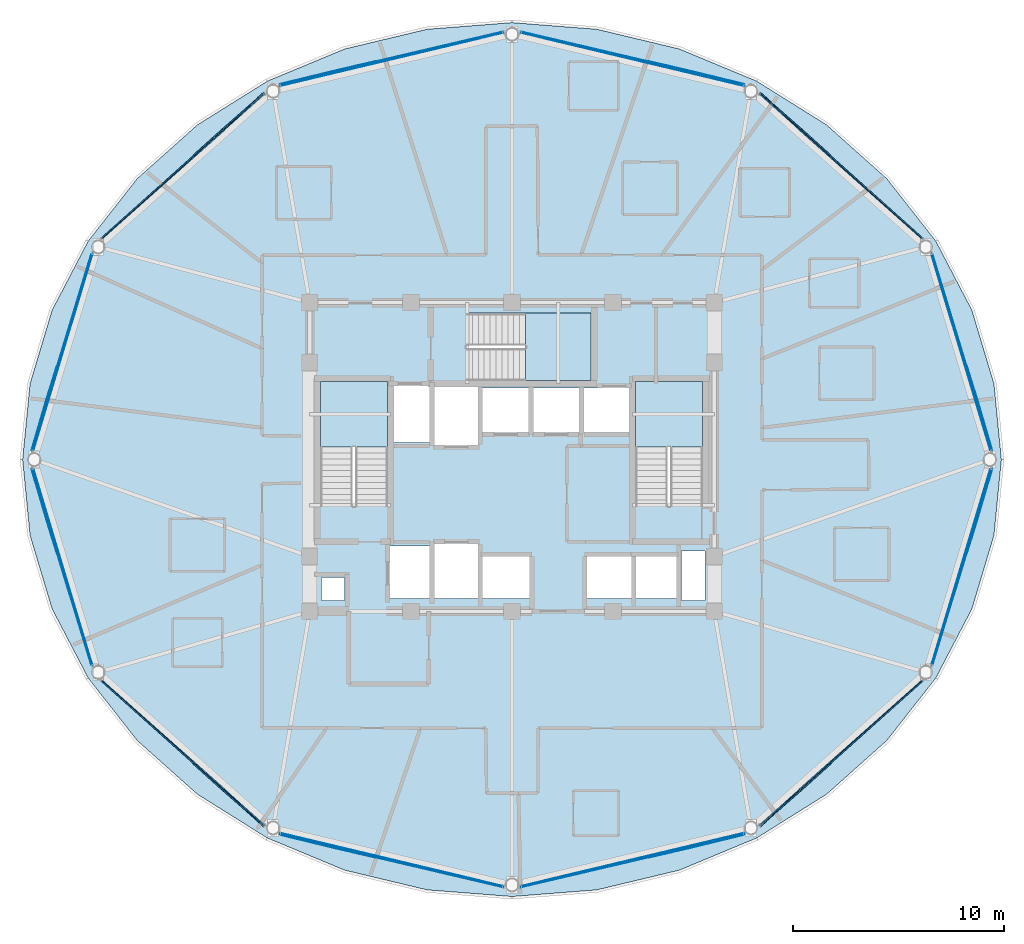
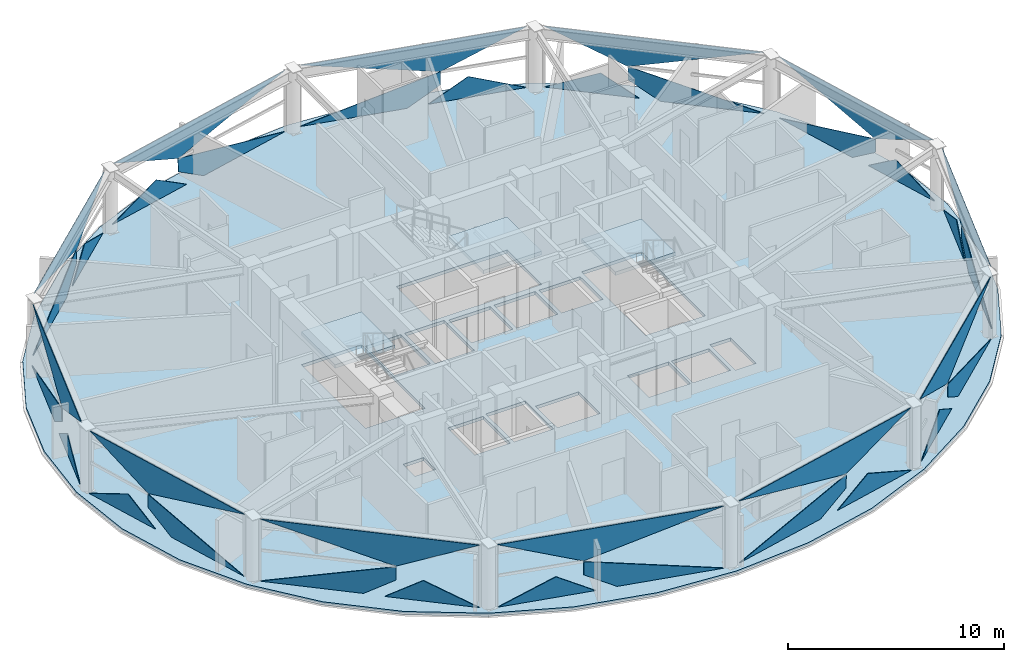
# One storey, part 21 of 30: 36 plates, 4 slabs, 15 elements without a shape of their own.
"""IFC4 building model written with IfcOpenShell, lengths in metres."""

import ifcopenshell
import ifcopenshell.guid

model = None  # the IFC model being written
_history = None  # IfcOwnerHistory: only IFC2X3 demands one
_inside = {}  # id of a spatial element -> (the spatial element, [elements in it])
_under = {}  # id of a project, library or spatial element -> (it, [spatial elements below it])
_declared = {}  # id of a project -> (the project, [libraries it declares])
_typed = {}  # id of a type object -> (the type object, [elements of that type])
_made_of = {}  # id of a material, layer set ... -> (it, [elements and type objects made of it])


def new_model(schema):
    """Start an empty IFC model of exactly this schema.

    Asked for "IFC4X3", IfcOpenShell would pick the latest addendum, in which some entities
    have other attributes; the version numbers below select the first issue.
    IFC2X3 requires an IfcOwnerHistory on every rooted entity: one is made here for all.
    """
    global model, _history
    if schema == "IFC4X3":
        model = ifcopenshell.file(schema_version=(4, 3, 0, 0))
    else:
        model = ifcopenshell.file(schema=schema)
    _inside.clear()
    _under.clear()
    _declared.clear()
    _typed.clear()
    _made_of.clear()
    _history = None
    if model.schema == "IFC2X3":
        org = make("IfcOrganization", Name="unknown")
        user = make(
            "IfcPersonAndOrganization",
            ThePerson=make("IfcPerson", FamilyName="unknown"),
            TheOrganization=org,
        )
        app = make(
            "IfcApplication",
            ApplicationDeveloper=org,
            Version="unknown",
            ApplicationFullName="unknown",
            ApplicationIdentifier="unknown",
        )
        _history = make(
            "IfcOwnerHistory",
            OwningUser=user,
            OwningApplication=app,
            ChangeAction="ADDED",
            CreationDate=0,
        )
    return model


def make(cls, **values):
    """One entity of the class cls with the attributes given. An attribute that is None is left unset."""
    return model.create_entity(
        cls, **{name: value for name, value in values.items() if value is not None}
    )


def rooted(cls, **values):
    """An entity with a GlobalId (a new one), such as an element, a storey or a relation."""
    return make(cls, GlobalId=ifcopenshell.guid.new(), OwnerHistory=_history, **values)


def si_unit(unit_type, name, prefix=None):
    """IfcSIUnit, for example si_unit("LENGTHUNIT", "METRE", prefix="MILLI")."""
    return make("IfcSIUnit", UnitType=unit_type, Prefix=prefix, Name=name)


def assignment(units):
    """IfcUnitAssignment: the units of a project."""
    return None if units is None else make("IfcUnitAssignment", Units=units)


def point(xyz):
    """IfcCartesianPoint."""
    return None if xyz is None else make("IfcCartesianPoint", Coordinates=xyz)


def direction(xyz):
    """IfcDirection."""
    return None if xyz is None else make("IfcDirection", DirectionRatios=xyz)


def frame(location, z_axis=None, x_axis=None):
    """IfcAxis2Placement3D, a coordinate frame: its origin and axes. An axis left out is left unset."""
    return make(
        "IfcAxis2Placement3D",
        Location=point(location),
        Axis=direction(z_axis),
        RefDirection=direction(x_axis),
    )


def origin():
    """The frame at (0, 0, 0) with its axes left unset."""
    return frame((0.0, 0.0, 0.0))


def place(relative_to, where):
    """IfcLocalPlacement: puts the frame where relative to a parent placement (None: the world)."""
    return make(
        "IfcLocalPlacement", PlacementRelTo=relative_to, RelativePlacement=where
    )


def context(
    kind, dimensions, precision=None, world=None, true_north=None, identifier=None
):
    """IfcGeometricRepresentationContext, for example the 3D "Model" context."""
    return make(
        "IfcGeometricRepresentationContext",
        ContextIdentifier=identifier,
        ContextType=kind,
        CoordinateSpaceDimension=dimensions,
        Precision=precision,
        WorldCoordinateSystem=world,
        TrueNorth=true_north,
    )


def subcontext(parent, identifier, kind, view, scale=None):
    """IfcGeometricRepresentationSubContext, for example "Body" below "Model"."""
    return make(
        "IfcGeometricRepresentationSubContext",
        ContextIdentifier=identifier,
        ContextType=kind,
        ParentContext=parent,
        TargetScale=scale,
        TargetView=view,
    )


def project(units=None, contexts=None):
    """IfcProject with its units and contexts."""
    return rooted(
        "IfcProject",
        Name="project",
        RepresentationContexts=contexts,
        UnitsInContext=assignment(units),
    )


def spatial(cls, under=None, at=None, **own):
    """A site, building, storey or space (cls), placed at a placement, below another one or the project."""
    s = rooted(cls, ObjectPlacement=at, **own)
    if under is not None:
        _under.setdefault(under.id(), (under, []))[1].append(s)
    return s


def polyline(points):
    """IfcPolyline through the points."""
    return make("IfcPolyline", Points=[point(p) for p in points])


def outline(outer, holes=None, kind="AREA"):
    """IfcArbitraryClosedProfileDef: a profile drawn as a closed curve; with holes, ...WithVoids."""
    if holes is None:
        return make("IfcArbitraryClosedProfileDef", ProfileType=kind, OuterCurve=outer)
    return make(
        "IfcArbitraryProfileDefWithVoids",
        ProfileType=kind,
        OuterCurve=outer,
        InnerCurves=holes,
    )


def extrude(swept, where, along, depth):
    """IfcExtrudedAreaSolid: the profile swept, set in the frame where, extruded along a direction by depth."""
    return make(
        "IfcExtrudedAreaSolid",
        SweptArea=swept,
        Position=where,
        ExtrudedDirection=direction(along),
        Depth=depth,
    )


def shape(context_of_items, identifier, shape_type, items):
    """IfcShapeRepresentation: the items that make up one representation, for example the "Body"."""
    return make(
        "IfcShapeRepresentation",
        ContextOfItems=context_of_items,
        RepresentationIdentifier=identifier,
        RepresentationType=shape_type,
        Items=items,
    )


def material(Name=None, Category=None):
    """IfcMaterial."""
    return make("IfcMaterial", Name=Name, Category=Category)


def layer(
    of_material, thickness, ventilated=None, Name=None, Category=None, Priority=None
):
    """IfcMaterialLayer: one layer of a wall or slab, of a material (None: an air gap)."""
    return make(
        "IfcMaterialLayer",
        Material=of_material,
        LayerThickness=thickness,
        IsVentilated=ventilated,
        Name=Name,
        Category=Category,
        Priority=Priority,
    )


def layer_set(layers, Name=None):
    """IfcMaterialLayerSet."""
    return make("IfcMaterialLayerSet", MaterialLayers=layers, LayerSetName=Name)


def made_of(thing, what):
    """Note that an element or type object is made of a material, layer set ...; save() writes the relation."""
    if what is not None:
        _made_of.setdefault(what.id(), (what, []))[1].append(thing)
    return thing


def type_object(cls, material=None, **own):
    """A type object (cls), such as IfcWallType, which elements share."""
    return made_of(rooted(cls, **own), material)


def element(
    cls,
    number,
    at=None,
    inside=None,
    cuts=None,
    type_object=None,
    material=None,
    context=None,
    identifier="Body",
    shape_type=None,
    held_by="IfcProductDefinitionShape",
    body=None,
    shapes=None,
    **own,
):
    """One element of the class cls, such as IfcWall. Its Tag is "e" and its number.

    at: its placement. inside: the storey or other place that contains it. cuts: it is an
    opening in that element (IfcRelVoidsElement). A single representation is given by context,
    identifier, shape_type and body (its items); several are given by shapes. held_by: the class
    of the entity that holds the representations. save() writes the other relations.
    """
    e = rooted(cls, Tag="e%d" % number, ObjectPlacement=at, **own)
    if body is not None:
        shapes = [shape(context, identifier, shape_type, body)]
    if shapes is not None:
        e.Representation = make(held_by, Representations=shapes)
    if inside is not None:
        _inside.setdefault(inside.id(), (inside, []))[1].append(e)
    if cuts is not None:
        rooted(
            "IfcRelVoidsElement", RelatingBuildingElement=cuts, RelatedOpeningElement=e
        )
    if type_object is not None:
        _typed.setdefault(type_object.id(), (type_object, []))[1].append(e)
    return made_of(e, material)


def aggregate(whole, parts):
    """IfcRelAggregates: a whole, such as a stair, and the parts it consists of."""
    return rooted("IfcRelAggregates", RelatingObject=whole, RelatedObjects=parts)


def save(model, path):
    """Write the relations noted so far, then the file.

    IfcRelAggregates (storeys below a building ...), IfcRelContainedInSpatialStructure (elements
    in a storey), IfcRelDefinesByType, IfcRelAssociatesMaterial and IfcRelDeclares: one each for
    every whole, place, type object, material and project.
    """
    for whole, parts in _under.values():
        aggregate(whole, parts)
    for where, things in _inside.values():
        rooted(
            "IfcRelContainedInSpatialStructure",
            RelatedElements=things,
            RelatingStructure=where,
        )
    for kind, things in _typed.values():
        rooted("IfcRelDefinesByType", RelatedObjects=things, RelatingType=kind)
    for what, things in _made_of.values():
        rooted("IfcRelAssociatesMaterial", RelatedObjects=things, RelatingMaterial=what)
    for by, libraries in _declared.values():
        rooted("IfcRelDeclares", RelatingContext=by, RelatedDefinitions=libraries)
    model.write(path)


model = new_model("IFC4")

# Units and contexts
model_context = context("Model", 3, precision=1e-05, world=origin(), true_north=direction((0.0, 1.0)))
body_context = subcontext(model_context, "Body", "Model", "MODEL_VIEW")
ifc_project = project(units=[si_unit("LENGTHUNIT", "METRE"), si_unit("AREAUNIT", "SQUARE_METRE"), si_unit("VOLUMEUNIT", "CUBIC_METRE"), si_unit("PLANEANGLEUNIT", "RADIAN"), si_unit("MASSUNIT", "GRAM", prefix="KILO")], contexts=[model_context])

# Site, building, storey
site_placement = place(None, origin())
site = spatial("IfcSite", under=ifc_project, at=site_placement, CompositionType="ELEMENT")
building_placement = place(site_placement, origin())
building = spatial("IfcBuilding", under=site, at=building_placement, Name="Vantalir Tower", CompositionType="ELEMENT")
storey_placement = place(building_placement, frame((0.0, 0.0, 193.64990234375)))
storey = spatial("IfcBuildingStorey", under=building, at=storey_placement, Name="L48", CompositionType="ELEMENT", Elevation=193.64990234375)

# Curtain wall, plates
ifc_material_1 = material(Name="Champagne-silver PVDF aluminium and double-silver Low-E glass", Category="aluminium")
ifc_layer_1 = layer(ifc_material_1, 0.2099609375)
ifc_layer_set_1 = layer_set([ifc_layer_1], Name="Champagne-silver PVDF aluminium and double-silver Low-E glass")
curtain_wall_type = type_object("IfcCurtainWallType", Name="CW-DIAMOND-Z3", PredefinedType="USERDEFINED", material=ifc_layer_set_1)
curtain_wall_1_placement = place(storey_placement, origin())
curtain_wall_1 = element("IfcCurtainWall", 1, at=curtain_wall_1_placement, inside=storey, type_object=curtain_wall_type, Name="L48 Quilted Pyramid-Diamond Curtain Wall S01", ObjectType="UNITISED CURTAIN WALL", PredefinedType="USERDEFINED")
ifc_material_2 = material(Name="Double-silver Low-E acoustic glass IGU", Category="glass")
ifc_layer_2 = layer(ifc_material_2, 0.031982421875)
ifc_layer_set_2 = layer_set([ifc_layer_2], Name="Double-silver Low-E acoustic glass IGU")
plate_type = type_object("IfcPlateType", Name="CWP-IGU-32", PredefinedType="CURTAIN_PANEL", material=ifc_layer_set_2)
plate_1_placement = place(storey_placement, frame((52.751220703125, 30.37158203125, 0.046875), z_axis=(-0.957569120397, -0.287876936637, 0.013720386812), x_axis=(-0.287904733397, 0.957659052938, -5.3046221e-05)))
plate_1 = element("IfcPlate", 2, at=plate_1_placement, type_object=plate_type, Name="CW-L48-S01 Pyramid Diamond Facet 1L", PredefinedType="CURTAIN_PANEL", context=body_context, shape_type="SweptSolid", body=[
    extrude(outline(polyline([(0.0, 0.0), (4.605400744982047, 2.710505431213761e-19), (-1.46212355943262, -1.7259149789665191), (-1.4620782612848922, -0.9836574539313097), (0.0, 0.0)])), origin(), (0.0, 0.0, -1.0), 0.031982421875),
])
plate_2_placement = place(storey_placement, frame((54.278076171875, 25.417236328125, 0.046630859375), z_axis=(-0.957585986611, -0.287821424954, 0.013707865724), x_axis=(-0.287849233216, 0.957675736122, -5.8139615e-05)))
plate_2 = element("IfcPlate", 3, at=plate_2_placement, type_object=plate_type, Name="CW-L48-S01 Pyramid Diamond Facet 1L Infill Light", PredefinedType="CURTAIN_PANEL", context=body_context, shape_type="SweptSolid", body=[
    extrude(outline(polyline([(0.0, 0.0), (4.1992129729475165, -6.2341624917916505e-19), (2.4858537531801974, -1.15259657328092), (0.0, 0.0)])), origin(), (0.0, 0.0, -1.0), 0.031982421875),
])
plate_3_placement = place(storey_placement, frame((51.42529296875, 34.781982421875, 3.5234375), z_axis=(0.957570876233, 0.287869386433, 0.013756211155), x_axis=(0.287896956027, -0.957661392189, -2.4939099e-05)))
plate_3 = element("IfcPlate", 4, at=plate_3_placement, type_object=plate_type, Name="CW-L48-S01 Pyramid Diamond Facet 2U", PredefinedType="CURTAIN_PANEL", context=body_context, shape_type="SweptSolid", body=[
    extrude(outline(polyline([(0.0, 0.0), (9.789472642908557, 1.1411227865409934e-17), (6.067475597382312, 1.7258420624480102), (0.0, 0.0)])), origin(), (0.0, 0.0, -1.0), 0.031982421875),
])
aggregate(curtain_wall_1, [plate_1, plate_2, plate_3])

curtain_wall_2_placement = place(storey_placement, origin())
curtain_wall_2 = element("IfcCurtainWall", 5, at=curtain_wall_2_placement, inside=storey, type_object=curtain_wall_type, Name="L48 Quilted Pyramid-Diamond Curtain Wall S02", ObjectType="UNITISED CURTAIN WALL", PredefinedType="USERDEFINED")
plate_4_placement = place(storey_placement, frame((50.98583984375, 35.4716796875, 0.046630859375), z_axis=(-0.665246637744, -0.746496723744, 0.013767803365), x_axis=(-0.746567022555, 0.665310212087, 5.0261518e-05)))
plate_4 = element("IfcPlate", 6, at=plate_4_placement, type_object=plate_type, Name="CW-L48-S02 Pyramid Diamond Facet 1L", PredefinedType="CURTAIN_PANEL", context=body_context, shape_type="SweptSolid", body=[
    extrude(outline(polyline([(0.0, 0.0), (4.884096058348961, -1.0516761073109393e-17), (6.417686646704021, -0.9792624412428188), (6.417818433846987, -1.7261607404335082), (0.0, 0.0)])), origin(), (0.0, 0.0, -1.0), 0.031982421875),
])
plate_5_placement = place(storey_placement, frame((46.600830078125, 39.427490234375, 0.04638671875), z_axis=(-0.665247633559, -0.746492979896, 0.01392181777), x_axis=(-0.746565331932, 0.665312111086, 0.0)))
plate_5 = element("IfcPlate", 7, at=plate_5_placement, type_object=plate_type, Name="CW-L48-S02 Pyramid Diamond Facet 1L Infill Light", PredefinedType="CURTAIN_PANEL", context=body_context, shape_type="SweptSolid", body=[
    extrude(outline(polyline([(0.0, 0.0), (4.455953168412756, 3.469446951953614e-18), (1.812302979750346, -1.1570945596127449), (0.0, 0.0)])), origin(), (0.0, 0.0, -1.0), 0.031982421875),
])
plate_6_placement = place(storey_placement, frame((43.250244140625, 42.365234375, 3.523193359375), z_axis=(0.665241096295, 0.746500141171, 0.013850019198), x_axis=(0.746571532091, -0.665305153231, 2.3562302e-05)))
plate_6 = element("IfcPlate", 8, at=plate_6_placement, type_object=plate_type, Name="CW-L48-S02 Pyramid Diamond Facet 2U", PredefinedType="CURTAIN_PANEL", context=body_context, shape_type="SweptSolid", body=[
    extrude(outline(polyline([(0.0, 0.0), (10.361492999146591, 1.9759584593548318e-17), (3.9437208179401617, 1.7260885614546762), (0.0, 0.0)])), origin(), (0.0, 0.0, -1.0), 0.031982421875),
])
aggregate(curtain_wall_2, [plate_4, plate_5, plate_6])

curtain_wall_3_placement = place(storey_placement, origin())
curtain_wall_3 = element("IfcCurtainWall", 9, at=curtain_wall_3_placement, inside=storey, type_object=curtain_wall_type, Name="L48 Quilted Pyramid-Diamond Curtain Wall S03", ObjectType="UNITISED CURTAIN WALL", PredefinedType="USERDEFINED")
plate_7_placement = place(storey_placement, frame((36.9208984375, 44.08349609375, 0.046630859375), z_axis=(-0.232250915873, -0.972558326785, 0.013777266669), x_axis=(-0.972650642297, 0.232272960198, -7.0462e-08)))
plate_7 = element("IfcPlate", 10, at=plate_7_placement, type_object=plate_type, Name="CW-L48-S03 Pyramid Diamond Facet 1L", PredefinedType="CURTAIN_PANEL", context=body_context, shape_type="SweptSolid", body=[
    extrude(outline(polyline([(0.0, 0.0), (5.148366768360471, 3.469446951953614e-18), (-1.610041241840969, -1.7267262719432275), (-1.609991551822061, -0.9808055036877932), (0.0, 0.0)])), origin(), (0.0, 0.0, -1.0), 0.031982421875),
])
plate_8_placement = place(storey_placement, frame((42.528076171875, 42.78173828125, 0.04638671875), z_axis=(-0.232222110435, -0.972566616102, 0.013677304889), x_axis=(-0.972657760941, 0.232243142813, -5.194434e-05)))
plate_8 = element("IfcPlate", 11, at=plate_8_placement, type_object=plate_type, Name="CW-L48-S03 Pyramid Diamond Facet 1L Infill Light", PredefinedType="CURTAIN_PANEL", context=body_context, shape_type="SweptSolid", body=[
    extrude(outline(polyline([(0.0, 0.0), (4.700042899676609, 2.222614453595284e-18), (2.7916336789734535, -1.1626072755457124), (0.0, 0.0)])), origin(), (0.0, 0.0, -1.0), 0.031982421875),
])
plate_9_placement = place(storey_placement, frame((31.913330078125, 45.279296875, 3.523681640625), z_axis=(0.232217597724, 0.9725679802, 0.013656910195), x_axis=(0.972658761071, -0.232238958857, -2.2388794e-05)))
plate_9 = element("IfcPlate", 12, at=plate_9_placement, type_object=plate_type, Name="CW-L48-S03 Pyramid Diamond Facet 2U", PredefinedType="CURTAIN_PANEL", context=body_context, shape_type="SweptSolid", body=[
    extrude(outline(polyline([(0.0, 0.0), (10.904590321916928, 3.415236843329339e-18), (6.758447370909409, 1.7265722069797567), (0.0, 0.0)])), origin(), (0.0, 0.0, -1.0), 0.031982421875),
])
aggregate(curtain_wall_3, [plate_7, plate_8, plate_9])

curtain_wall_4_placement = place(storey_placement, origin())
curtain_wall_4 = element("IfcCurtainWall", 13, at=curtain_wall_4_placement, inside=storey, type_object=curtain_wall_type, Name="L48 Quilted Pyramid-Diamond Curtain Wall S04", ObjectType="UNITISED CURTAIN WALL", PredefinedType="USERDEFINED")
plate_10_placement = place(storey_placement, frame((31.086669921875, 45.279296875, 0.046630859375), z_axis=(0.232250915873, -0.972558326785, 0.013777266669), x_axis=(-0.972650642297, -0.232272960198, 7.0462e-08)))
plate_10 = element("IfcPlate", 14, at=plate_10_placement, type_object=plate_type, Name="CW-L48-S04 Pyramid Diamond Facet 1L", PredefinedType="CURTAIN_PANEL", context=body_context, shape_type="SweptSolid", body=[
    extrude(outline(polyline([(0.0, 0.0), (5.148366768360471, -3.469446951953614e-18), (6.7583583201825315, -0.9808055036877932), (6.758408010201439, -1.7267262719432275), (0.0, 0.0)])), origin(), (0.0, 0.0, -1.0), 0.031982421875),
])
plate_11_placement = place(storey_placement, frame((25.04345703125, 43.873291015625, 0.046142578125), z_axis=(0.232222110435, -0.972566616102, 0.013677304889), x_axis=(-0.972657760941, -0.232243142813, 5.194434e-05)))
plate_11 = element("IfcPlate", 15, at=plate_11_placement, type_object=plate_type, Name="CW-L48-S04 Pyramid Diamond Facet 1L Infill Light", PredefinedType="CURTAIN_PANEL", context=body_context, shape_type="SweptSolid", body=[
    extrude(outline(polyline([(0.0, 0.0), (4.700042899676609, -2.222614453595284e-18), (1.9084092207031556, -1.1626072755457124), (0.0, 0.0)])), origin(), (0.0, 0.0, -1.0), 0.031982421875),
])
plate_12_placement = place(storey_placement, frame((20.480224609375, 42.746826171875, 3.5234375), z_axis=(-0.232217597724, 0.9725679802, 0.013656910195), x_axis=(0.972658761071, 0.232238958857, 2.2388794e-05)))
plate_12 = element("IfcPlate", 16, at=plate_12_placement, type_object=plate_type, Name="CW-L48-S04 Pyramid Diamond Facet 2U", PredefinedType="CURTAIN_PANEL", context=body_context, shape_type="SweptSolid", body=[
    extrude(outline(polyline([(0.0, 0.0), (10.904590321916928, -3.415236843329339e-18), (4.146142951007518, 1.7265722069797567), (0.0, 0.0)])), origin(), (0.0, 0.0, -1.0), 0.031982421875),
])
aggregate(curtain_wall_4, [plate_10, plate_11, plate_12])

curtain_wall_5_placement = place(storey_placement, origin())
curtain_wall_5 = element("IfcCurtainWall", 17, at=curtain_wall_5_placement, inside=storey, type_object=curtain_wall_type, Name="L48 Quilted Pyramid-Diamond Curtain Wall S05", ObjectType="UNITISED CURTAIN WALL", PredefinedType="USERDEFINED")
plate_13_placement = place(storey_placement, frame((15.660400390625, 38.72119140625, 0.046875), z_axis=(0.665246637744, -0.746496723744, 0.013767803365), x_axis=(-0.746567022555, -0.665310212087, -5.0261518e-05)))
plate_13 = element("IfcPlate", 18, at=plate_13_placement, type_object=plate_type, Name="CW-L48-S05 Pyramid Diamond Facet 1L", PredefinedType="CURTAIN_PANEL", context=body_context, shape_type="SweptSolid", body=[
    extrude(outline(polyline([(0.0, 0.0), (4.884096058348961, 1.0516761073109393e-17), (-1.5337223754980263, -1.726160740433508), (-1.5335905883550598, -0.9792624412428187), (0.0, 0.0)])), origin(), (0.0, 0.0, -1.0), 0.031982421875),
])
plate_14_placement = place(storey_placement, frame((19.725830078125, 42.39208984375, 0.04638671875), z_axis=(0.665247633559, -0.746492979896, 0.01392181777), x_axis=(-0.746565331932, -0.665312111086, 0.0)))
plate_14 = element("IfcPlate", 19, at=plate_14_placement, type_object=plate_type, Name="CW-L48-S05 Pyramid Diamond Facet 1L Infill Light", PredefinedType="CURTAIN_PANEL", context=body_context, shape_type="SweptSolid", body=[
    extrude(outline(polyline([(0.0, 0.0), (4.455953168412756, -3.469446951953614e-18), (2.64365018866241, -1.1570945596127449), (0.0, 0.0)])), origin(), (0.0, 0.0, -1.0), 0.031982421875),
])
plate_15_placement = place(storey_placement, frame((12.01416015625, 35.4716796875, 3.5234375), z_axis=(-0.665241096295, 0.746500141171, 0.013850019198), x_axis=(0.746571532091, 0.665305153231, -2.3562302e-05)))
plate_15 = element("IfcPlate", 20, at=plate_15_placement, type_object=plate_type, Name="CW-L48-S05 Pyramid Diamond Facet 2U", PredefinedType="CURTAIN_PANEL", context=body_context, shape_type="SweptSolid", body=[
    extrude(outline(polyline([(0.0, 0.0), (10.361492999146591, -1.9759584593548318e-17), (6.41777218120643, 1.7260885614546762), (0.0, 0.0)])), origin(), (0.0, 0.0, -1.0), 0.031982421875),
])
aggregate(curtain_wall_5, [plate_13, plate_14, plate_15])

curtain_wall_6_placement = place(storey_placement, origin())
curtain_wall_6 = element("IfcCurtainWall", 21, at=curtain_wall_6_placement, inside=storey, type_object=curtain_wall_type, Name="L48 Quilted Pyramid-Diamond Curtain Wall S06", ObjectType="UNITISED CURTAIN WALL", PredefinedType="USERDEFINED")
plate_16_placement = place(storey_placement, frame((11.57470703125, 34.781982421875, 0.046630859375), z_axis=(0.957569120397, -0.287876936637, 0.013720386812), x_axis=(-0.287904733397, -0.957659052938, 5.3046221e-05)))
plate_16 = element("IfcPlate", 22, at=plate_16_placement, type_object=plate_type, Name="CW-L48-S06 Pyramid Diamond Facet 1L", PredefinedType="CURTAIN_PANEL", context=body_context, shape_type="SweptSolid", body=[
    extrude(outline(polyline([(0.0, 0.0), (4.605400744982047, -2.710505431213761e-19), (6.06747900626694, -0.9836574539313095), (6.067524304414667, -1.725914978966519), (0.0, 0.0)])), origin(), (0.0, 0.0, -1.0), 0.031982421875),
])
plate_17_placement = place(storey_placement, frame((9.9306640625, 29.438720703125, 0.04638671875), z_axis=(0.957585986611, -0.287821424954, 0.013707865724), x_axis=(-0.287849233216, -0.957675736122, 5.8139615e-05)))
plate_17 = element("IfcPlate", 23, at=plate_17_placement, type_object=plate_type, Name="CW-L48-S06 Pyramid Diamond Facet 1L Infill Light", PredefinedType="CURTAIN_PANEL", context=body_context, shape_type="SweptSolid", body=[
    extrude(outline(polyline([(0.0, 0.0), (4.1992129729475165, 6.2341624917916505e-19), (1.7133592197673182, -1.15259657328092), (0.0, 0.0)])), origin(), (0.0, 0.0, -1.0), 0.031982421875),
])
plate_18_placement = place(storey_placement, frame((8.75634765625, 25.406982421875, 3.523193359375), z_axis=(-0.957570876233, 0.287869386433, 0.013756211155), x_axis=(0.287896956027, 0.957661392189, 2.4939099e-05)))
plate_18 = element("IfcPlate", 24, at=plate_18_placement, type_object=plate_type, Name="CW-L48-S06 Pyramid Diamond Facet 2U", PredefinedType="CURTAIN_PANEL", context=body_context, shape_type="SweptSolid", body=[
    extrude(outline(polyline([(0.0, 0.0), (9.789472642908557, -1.1411227865409934e-17), (3.721997045526245, 1.7258420624480102), (0.0, 0.0)])), origin(), (0.0, 0.0, -1.0), 0.031982421875),
])
aggregate(curtain_wall_6, [plate_16, plate_17, plate_18])

curtain_wall_7_placement = place(storey_placement, origin())
curtain_wall_7 = element("IfcCurtainWall", 25, at=curtain_wall_7_placement, inside=storey, type_object=curtain_wall_type, Name="L48 Quilted Pyramid-Diamond Curtain Wall S07", ObjectType="UNITISED CURTAIN WALL", PredefinedType="USERDEFINED")
plate_19_placement = place(storey_placement, frame((10.248779296875, 19.62841796875, 0.046875), z_axis=(0.957569120397, 0.287876936637, 0.013720386812), x_axis=(0.287904733397, -0.957659052938, -5.3046221e-05)))
plate_19 = element("IfcPlate", 26, at=plate_19_placement, type_object=plate_type, Name="CW-L48-S07 Pyramid Diamond Facet 1L", PredefinedType="CURTAIN_PANEL", context=body_context, shape_type="SweptSolid", body=[
    extrude(outline(polyline([(0.0, 0.0), (4.605400744982047, 2.710505431213761e-19), (-1.46212355943262, -1.7259149789665191), (-1.4620782612848922, -0.9836574539313097), (0.0, 0.0)])), origin(), (0.0, 0.0, -1.0), 0.031982421875),
])
plate_20_placement = place(storey_placement, frame((8.721923828125, 24.582763671875, 0.046630859375), z_axis=(0.957585986611, 0.287821424954, 0.013707865724), x_axis=(0.287849233216, -0.957675736122, -5.8139615e-05)))
plate_20 = element("IfcPlate", 27, at=plate_20_placement, type_object=plate_type, Name="CW-L48-S07 Pyramid Diamond Facet 1L Infill Light", PredefinedType="CURTAIN_PANEL", context=body_context, shape_type="SweptSolid", body=[
    extrude(outline(polyline([(0.0, 0.0), (4.1992129729475165, -6.2341624917916505e-19), (2.4858537531801974, -1.15259657328092), (0.0, 0.0)])), origin(), (0.0, 0.0, -1.0), 0.031982421875),
])
plate_21_placement = place(storey_placement, frame((11.57470703125, 15.218017578125, 3.5234375), z_axis=(-0.957570876233, -0.287869386433, 0.013756211155), x_axis=(-0.287896956027, 0.957661392189, -2.4939099e-05)))
plate_21 = element("IfcPlate", 28, at=plate_21_placement, type_object=plate_type, Name="CW-L48-S07 Pyramid Diamond Facet 2U", PredefinedType="CURTAIN_PANEL", context=body_context, shape_type="SweptSolid", body=[
    extrude(outline(polyline([(0.0, 0.0), (9.789472642908557, 1.1411227865409934e-17), (6.067475597382312, 1.7258420624480102), (0.0, 0.0)])), origin(), (0.0, 0.0, -1.0), 0.031982421875),
])
aggregate(curtain_wall_7, [plate_19, plate_20, plate_21])

curtain_wall_8_placement = place(storey_placement, origin())
curtain_wall_8 = element("IfcCurtainWall", 29, at=curtain_wall_8_placement, inside=storey, type_object=curtain_wall_type, Name="L48 Quilted Pyramid-Diamond Curtain Wall S08", ObjectType="UNITISED CURTAIN WALL", PredefinedType="USERDEFINED")
plate_22_placement = place(storey_placement, frame((12.01416015625, 14.5283203125, 0.046630859375), z_axis=(0.665246637744, 0.746496723744, 0.013767803365), x_axis=(0.746567022555, -0.665310212087, 5.0261518e-05)))
plate_22 = element("IfcPlate", 30, at=plate_22_placement, type_object=plate_type, Name="CW-L48-S08 Pyramid Diamond Facet 1L", PredefinedType="CURTAIN_PANEL", context=body_context, shape_type="SweptSolid", body=[
    extrude(outline(polyline([(0.0, 0.0), (4.884096058348961, -1.0516761073109393e-17), (6.417686646704021, -0.9792624412428188), (6.417818433846987, -1.7261607404335082), (0.0, 0.0)])), origin(), (0.0, 0.0, -1.0), 0.031982421875),
])
plate_23_placement = place(storey_placement, frame((16.399169921875, 10.572509765625, 0.04638671875), z_axis=(0.665247633559, 0.746492979896, 0.01392181777), x_axis=(0.746565331932, -0.665312111086, 0.0)))
plate_23 = element("IfcPlate", 31, at=plate_23_placement, type_object=plate_type, Name="CW-L48-S08 Pyramid Diamond Facet 1L Infill Light", PredefinedType="CURTAIN_PANEL", context=body_context, shape_type="SweptSolid", body=[
    extrude(outline(polyline([(0.0, 0.0), (4.455953168412756, 3.469446951953614e-18), (1.812302979750346, -1.1570945596127449), (0.0, 0.0)])), origin(), (0.0, 0.0, -1.0), 0.031982421875),
])
plate_24_placement = place(storey_placement, frame((19.749755859375, 7.634765625, 3.523193359375), z_axis=(-0.665241096295, -0.746500141171, 0.013850019198), x_axis=(-0.746571532091, 0.665305153231, 2.3562302e-05)))
plate_24 = element("IfcPlate", 32, at=plate_24_placement, type_object=plate_type, Name="CW-L48-S08 Pyramid Diamond Facet 2U", PredefinedType="CURTAIN_PANEL", context=body_context, shape_type="SweptSolid", body=[
    extrude(outline(polyline([(0.0, 0.0), (10.361492999146591, 1.9759584593548318e-17), (3.9437208179401617, 1.7260885614546762), (0.0, 0.0)])), origin(), (0.0, 0.0, -1.0), 0.031982421875),
])
aggregate(curtain_wall_8, [plate_22, plate_23, plate_24])

curtain_wall_9_placement = place(storey_placement, origin())
curtain_wall_9 = element("IfcCurtainWall", 33, at=curtain_wall_9_placement, inside=storey, type_object=curtain_wall_type, Name="L48 Quilted Pyramid-Diamond Curtain Wall S09", ObjectType="UNITISED CURTAIN WALL", PredefinedType="USERDEFINED")
plate_25_placement = place(storey_placement, frame((26.0791015625, 5.91650390625, 0.046630859375), z_axis=(0.232250915873, 0.972558326785, 0.013777266669), x_axis=(0.972650642297, -0.232272960198, -7.0462e-08)))
plate_25 = element("IfcPlate", 34, at=plate_25_placement, type_object=plate_type, Name="CW-L48-S09 Pyramid Diamond Facet 1L", PredefinedType="CURTAIN_PANEL", context=body_context, shape_type="SweptSolid", body=[
    extrude(outline(polyline([(0.0, 0.0), (5.148366768360471, 3.469446951953614e-18), (-1.610041241840969, -1.7267262719432275), (-1.609991551822061, -0.9808055036877932), (0.0, 0.0)])), origin(), (0.0, 0.0, -1.0), 0.031982421875),
])
plate_26_placement = place(storey_placement, frame((20.471923828125, 7.21826171875, 0.04638671875), z_axis=(0.232222110435, 0.972566616102, 0.013677304889), x_axis=(0.972657760941, -0.232243142813, -5.194434e-05)))
plate_26 = element("IfcPlate", 35, at=plate_26_placement, type_object=plate_type, Name="CW-L48-S09 Pyramid Diamond Facet 1L Infill Light", PredefinedType="CURTAIN_PANEL", context=body_context, shape_type="SweptSolid", body=[
    extrude(outline(polyline([(0.0, 0.0), (4.700042899676609, 2.222614453595284e-18), (2.7916336789734535, -1.1626072755457124), (0.0, 0.0)])), origin(), (0.0, 0.0, -1.0), 0.031982421875),
])
plate_27_placement = place(storey_placement, frame((31.086669921875, 4.720703125, 3.523681640625), z_axis=(-0.232217597724, -0.9725679802, 0.013656910195), x_axis=(-0.972658761071, 0.232238958857, -2.2388794e-05)))
plate_27 = element("IfcPlate", 36, at=plate_27_placement, type_object=plate_type, Name="CW-L48-S09 Pyramid Diamond Facet 2U", PredefinedType="CURTAIN_PANEL", context=body_context, shape_type="SweptSolid", body=[
    extrude(outline(polyline([(0.0, 0.0), (10.904590321916928, 3.415236843329339e-18), (6.758447370909409, 1.7265722069797567), (0.0, 0.0)])), origin(), (0.0, 0.0, -1.0), 0.031982421875),
])
aggregate(curtain_wall_9, [plate_25, plate_26, plate_27])

curtain_wall_10_placement = place(storey_placement, origin())
curtain_wall_10 = element("IfcCurtainWall", 37, at=curtain_wall_10_placement, inside=storey, type_object=curtain_wall_type, Name="L48 Quilted Pyramid-Diamond Curtain Wall S10", ObjectType="UNITISED CURTAIN WALL", PredefinedType="USERDEFINED")
plate_28_placement = place(storey_placement, frame((31.913330078125, 4.720703125, 0.046630859375), z_axis=(-0.232250915873, 0.972558326785, 0.013777266669), x_axis=(0.972650642297, 0.232272960198, 7.0462e-08)))
plate_28 = element("IfcPlate", 38, at=plate_28_placement, type_object=plate_type, Name="CW-L48-S10 Pyramid Diamond Facet 1L", PredefinedType="CURTAIN_PANEL", context=body_context, shape_type="SweptSolid", body=[
    extrude(outline(polyline([(0.0, 0.0), (5.148366768360471, -3.469446951953614e-18), (6.7583583201825315, -0.9808055036877932), (6.758408010201439, -1.7267262719432275), (0.0, 0.0)])), origin(), (0.0, 0.0, -1.0), 0.031982421875),
])
plate_29_placement = place(storey_placement, frame((37.95654296875, 6.126708984375, 0.046142578125), z_axis=(-0.232222110435, 0.972566616102, 0.013677304889), x_axis=(0.972657760941, 0.232243142813, 5.194434e-05)))
plate_29 = element("IfcPlate", 39, at=plate_29_placement, type_object=plate_type, Name="CW-L48-S10 Pyramid Diamond Facet 1L Infill Light", PredefinedType="CURTAIN_PANEL", context=body_context, shape_type="SweptSolid", body=[
    extrude(outline(polyline([(0.0, 0.0), (4.700042899676609, -2.222614453595284e-18), (1.9084092207031556, -1.1626072755457124), (0.0, 0.0)])), origin(), (0.0, 0.0, -1.0), 0.031982421875),
])
plate_30_placement = place(storey_placement, frame((42.519775390625, 7.253173828125, 3.5234375), z_axis=(0.232217597724, -0.9725679802, 0.013656910195), x_axis=(-0.972658761071, -0.232238958857, 2.2388794e-05)))
plate_30 = element("IfcPlate", 40, at=plate_30_placement, type_object=plate_type, Name="CW-L48-S10 Pyramid Diamond Facet 2U", PredefinedType="CURTAIN_PANEL", context=body_context, shape_type="SweptSolid", body=[
    extrude(outline(polyline([(0.0, 0.0), (10.904590321916928, -3.415236843329339e-18), (4.146142951007518, 1.7265722069797567), (0.0, 0.0)])), origin(), (0.0, 0.0, -1.0), 0.031982421875),
])
aggregate(curtain_wall_10, [plate_28, plate_29, plate_30])

curtain_wall_11_placement = place(storey_placement, origin())
curtain_wall_11 = element("IfcCurtainWall", 41, at=curtain_wall_11_placement, inside=storey, type_object=curtain_wall_type, Name="L48 Quilted Pyramid-Diamond Curtain Wall S11", ObjectType="UNITISED CURTAIN WALL", PredefinedType="USERDEFINED")
plate_31_placement = place(storey_placement, frame((47.339599609375, 11.27880859375, 0.046875), z_axis=(-0.665246637744, 0.746496723744, 0.013767803365), x_axis=(0.746567022555, 0.665310212087, -5.0261518e-05)))
plate_31 = element("IfcPlate", 42, at=plate_31_placement, type_object=plate_type, Name="CW-L48-S11 Pyramid Diamond Facet 1L", PredefinedType="CURTAIN_PANEL", context=body_context, shape_type="SweptSolid", body=[
    extrude(outline(polyline([(0.0, 0.0), (4.884096058348961, 1.0516761073109393e-17), (-1.5337223754980263, -1.726160740433508), (-1.5335905883550598, -0.9792624412428187), (0.0, 0.0)])), origin(), (0.0, 0.0, -1.0), 0.031982421875),
])
plate_32_placement = place(storey_placement, frame((43.274169921875, 7.60791015625, 0.04638671875), z_axis=(-0.665247633559, 0.746492979896, 0.01392181777), x_axis=(0.746565331932, 0.665312111086, 0.0)))
plate_32 = element("IfcPlate", 43, at=plate_32_placement, type_object=plate_type, Name="CW-L48-S11 Pyramid Diamond Facet 1L Infill Light", PredefinedType="CURTAIN_PANEL", context=body_context, shape_type="SweptSolid", body=[
    extrude(outline(polyline([(0.0, 0.0), (4.455953168412756, -3.469446951953614e-18), (2.64365018866241, -1.1570945596127449), (0.0, 0.0)])), origin(), (0.0, 0.0, -1.0), 0.031982421875),
])
plate_33_placement = place(storey_placement, frame((50.98583984375, 14.5283203125, 3.5234375), z_axis=(0.665241096295, -0.746500141171, 0.013850019198), x_axis=(-0.746571532091, -0.665305153231, -2.3562302e-05)))
plate_33 = element("IfcPlate", 44, at=plate_33_placement, type_object=plate_type, Name="CW-L48-S11 Pyramid Diamond Facet 2U", PredefinedType="CURTAIN_PANEL", context=body_context, shape_type="SweptSolid", body=[
    extrude(outline(polyline([(0.0, 0.0), (10.361492999146591, -1.9759584593548318e-17), (6.41777218120643, 1.7260885614546762), (0.0, 0.0)])), origin(), (0.0, 0.0, -1.0), 0.031982421875),
])
aggregate(curtain_wall_11, [plate_31, plate_32, plate_33])

curtain_wall_12_placement = place(storey_placement, origin())
curtain_wall_12 = element("IfcCurtainWall", 45, at=curtain_wall_12_placement, inside=storey, type_object=curtain_wall_type, Name="L48 Quilted Pyramid-Diamond Curtain Wall S12", ObjectType="UNITISED CURTAIN WALL", PredefinedType="USERDEFINED")
plate_34_placement = place(storey_placement, frame((51.42529296875, 15.218017578125, 0.046630859375), z_axis=(-0.957569120397, 0.287876936637, 0.013720386812), x_axis=(0.287904733397, 0.957659052938, 5.3046221e-05)))
plate_34 = element("IfcPlate", 46, at=plate_34_placement, type_object=plate_type, Name="CW-L48-S12 Pyramid Diamond Facet 1L", PredefinedType="CURTAIN_PANEL", context=body_context, shape_type="SweptSolid", body=[
    extrude(outline(polyline([(0.0, 0.0), (4.605400744982047, -2.710505431213761e-19), (6.06747900626694, -0.9836574539313095), (6.067524304414667, -1.725914978966519), (0.0, 0.0)])), origin(), (0.0, 0.0, -1.0), 0.031982421875),
])
plate_35_placement = place(storey_placement, frame((53.0693359375, 20.561279296875, 0.04638671875), z_axis=(-0.957585986611, 0.287821424954, 0.013707865724), x_axis=(0.287849233216, 0.957675736122, 5.8139615e-05)))
plate_35 = element("IfcPlate", 47, at=plate_35_placement, type_object=plate_type, Name="CW-L48-S12 Pyramid Diamond Facet 1L Infill Light", PredefinedType="CURTAIN_PANEL", context=body_context, shape_type="SweptSolid", body=[
    extrude(outline(polyline([(0.0, 0.0), (4.1992129729475165, 6.2341624917916505e-19), (1.7133592197673182, -1.15259657328092), (0.0, 0.0)])), origin(), (0.0, 0.0, -1.0), 0.031982421875),
])
plate_36_placement = place(storey_placement, frame((54.24365234375, 24.593017578125, 3.523193359375), z_axis=(0.957570876233, -0.287869386433, 0.013756211155), x_axis=(-0.287896956027, -0.957661392189, 2.4939099e-05)))
plate_36 = element("IfcPlate", 48, at=plate_36_placement, type_object=plate_type, Name="CW-L48-S12 Pyramid Diamond Facet 2U", PredefinedType="CURTAIN_PANEL", context=body_context, shape_type="SweptSolid", body=[
    extrude(outline(polyline([(0.0, 0.0), (9.789472642908557, -1.1411227865409934e-17), (3.721997045526245, 1.7258420624480102), (0.0, 0.0)])), origin(), (0.0, 0.0, -1.0), 0.031982421875),
])
aggregate(curtain_wall_12, [plate_34, plate_35, plate_36])

# Stair, slab
ifc_material_3 = material(Name="Concrete C40/50", Category="concrete")
stair_type = type_object("IfcStairType", Name="STR-CORE-1450", PredefinedType="HALF_TURN_STAIR", material=ifc_material_3)
stair_1_placement = place(storey_placement, origin())
stair_1 = element("IfcStair", 49, at=stair_1_placement, inside=storey, type_object=stair_type, Name="L48 Core Exit Stair 1", PredefinedType="HALF_TURN_STAIR")
ifc_layer_3 = layer(ifc_material_3, 0.199951171875)
ifc_layer_set_3 = layer_set([ifc_layer_3], Name="Concrete C40/50")
slab_type_1 = type_object("IfcSlabType", Name="SL-LAND-200", PredefinedType="LANDING", material=ifc_layer_set_3)
slab_1_placement = place(storey_placement, frame((0.0, 0.0, 1.675048828125)))
slab_1 = element("IfcSlab", 50, at=slab_1_placement, type_object=slab_type_1, Name="ST1 landing 1", PredefinedType="LANDING", context=body_context, shape_type="SweptSolid", body=[
    extrude(outline(polyline([(25.60009765625, 25.590087890625), (25.60009765625, 28.699951171875), (22.39990234375, 28.699951171875), (22.39990234375, 25.590087890625), (25.60009765625, 25.590087890625)])), origin(), (0.0, 0.0, 1.0), 0.199951171875),
])
aggregate(stair_1, [slab_1])

stair_2_placement = place(storey_placement, origin())
stair_2 = element("IfcStair", 51, at=stair_2_placement, inside=storey, type_object=stair_type, Name="L48 Core Exit Stair 2", PredefinedType="HALF_TURN_STAIR")
slab_2_placement = place(storey_placement, frame((0.0, 0.0, 1.675048828125)))
slab_2 = element("IfcSlab", 52, at=slab_2_placement, type_object=slab_type_1, Name="ST2 landing 1", PredefinedType="LANDING", context=body_context, shape_type="SweptSolid", body=[
    extrude(outline(polyline([(40.550048828125, 25.590087890625), (40.550048828125, 28.699951171875), (37.35009765625, 28.699951171875), (37.35009765625, 25.590087890625), (40.550048828125, 25.590087890625)])), origin(), (0.0, 0.0, 1.0), 0.199951171875),
])
aggregate(stair_2, [slab_2])

stair_3_placement = place(storey_placement, origin())
stair_3 = element("IfcStair", 53, at=stair_3_placement, inside=storey, type_object=stair_type, Name="L48 Core Exit Stair 3", PredefinedType="HALF_TURN_STAIR")
slab_3_placement = place(storey_placement, frame((0.0, 0.0, 1.675048828125)))
slab_3 = element("IfcSlab", 54, at=slab_3_placement, type_object=slab_type_1, Name="ST3 landing 1", PredefinedType="LANDING", context=body_context, shape_type="SweptSolid", body=[
    extrude(outline(polyline([(32.139892578125, 28.75), (35.25, 28.75), (35.25, 31.949951171875), (32.139892578125, 31.949951171875), (32.139892578125, 28.75)])), origin(), (0.0, 0.0, 1.0), 0.199951171875),
])
aggregate(stair_3, [slab_3])

# Slab
ifc_layer_4 = layer(ifc_material_3, 0.179931640625)
ifc_layer_set_4 = layer_set([ifc_layer_4], Name="Concrete C40/50")
slab_type_2 = type_object("IfcSlabType", Name="SL-TWR-180", PredefinedType="FLOOR", material=ifc_layer_set_4)
slab_4_placement = place(storey_placement, frame((0.0, 0.0, -0.179931640625)))
element("IfcSlab", 55, at=slab_4_placement, inside=storey, type_object=slab_type_2, Name="L48 Primary Structural Slab", PredefinedType="FLOOR", context=body_context, shape_type="SweptSolid", body=[
    extrude(outline(polyline([(13.7080078125, 11.669921875), (16.571044921875, 9.114013671875), (19.886962890625, 7.0400390625), (23.555908203125, 5.512939453125), (27.467041015625, 4.576904296875), (31.5, 4.261962890625), (35.532958984375, 4.576904296875), (39.444091796875, 5.512939453125), (43.113037109375, 7.0400390625), (46.428955078125, 9.114013671875), (49.2919921875, 11.669921875), (51.614013671875, 14.631103515625), (53.324951171875, 17.906982421875), (54.373046875, 21.39892578125), (54.72607421875, 25.0), (54.373046875, 28.60107421875), (53.324951171875, 32.093017578125), (51.614013671875, 35.368896484375), (49.2919921875, 38.330078125), (46.428955078125, 40.885986328125), (43.113037109375, 42.9599609375), (39.444091796875, 44.487060546875), (35.532958984375, 45.423095703125), (31.5, 45.738037109375), (27.467041015625, 45.423095703125), (23.555908203125, 44.487060546875), (19.886962890625, 42.9599609375), (16.571044921875, 40.885986328125), (13.7080078125, 38.330078125), (11.385986328125, 35.368896484375), (9.675048828125, 32.093017578125), (8.626953125, 28.60107421875), (8.27392578125, 25.0), (8.626953125, 21.39892578125), (9.675048828125, 17.906982421875), (11.385986328125, 14.631103515625), (13.7080078125, 11.669921875)]), holes=[polyline([(22.39990234375, 28.699951171875), (25.60009765625, 28.699951171875), (25.60009765625, 22.7900390625), (22.39990234375, 22.7900390625), (22.39990234375, 28.699951171875)]), polyline([(40.550048828125, 28.699951171875), (40.550048828125, 22.7900390625), (37.35009765625, 22.7900390625), (37.35009765625, 28.699951171875), (40.550048828125, 28.699951171875)]), polyline([(29.340087890625, 28.75), (29.340087890625, 31.949951171875), (35.25, 31.949951171875), (35.25, 28.75), (29.340087890625, 28.75)]), polyline([(25.699951171875, 18.39990234375), (25.699951171875, 20.89990234375), (27.60009765625, 20.89990234375), (27.60009765625, 18.39990234375), (25.699951171875, 18.39990234375)]), polyline([(25.699951171875, 28.5), (27.60009765625, 28.5), (27.60009765625, 25.800048828125), (25.699951171875, 25.800048828125), (25.699951171875, 28.5)]), polyline([(29.89990234375, 21.0), (29.89990234375, 18.39990234375), (27.800048828125, 18.39990234375), (27.800048828125, 21.0), (29.89990234375, 21.0)]), polyline([(29.89990234375, 25.699951171875), (27.800048828125, 25.699951171875), (27.800048828125, 28.5), (29.89990234375, 28.5), (29.89990234375, 25.699951171875)]), polyline([(30.10009765625, 18.39990234375), (30.10009765625, 20.39990234375), (32.39990234375, 20.39990234375), (32.39990234375, 18.39990234375), (30.10009765625, 18.39990234375)]), polyline([(37.35009765625, 20.39990234375), (39.35009765625, 20.39990234375), (39.35009765625, 18.39990234375), (37.35009765625, 18.39990234375), (37.35009765625, 20.39990234375)]), polyline([(37.199951171875, 20.39990234375), (37.199951171875, 18.39990234375), (35.0, 18.39990234375), (35.0, 20.39990234375), (37.199951171875, 20.39990234375)]), polyline([(32.300048828125, 26.300048828125), (30.10009765625, 26.300048828125), (30.10009765625, 28.39990234375), (32.300048828125, 28.39990234375), (32.300048828125, 26.300048828125)]), polyline([(32.5, 26.300048828125), (32.5, 28.39990234375), (34.699951171875, 28.39990234375), (34.699951171875, 26.300048828125), (32.5, 26.300048828125)]), polyline([(34.89990234375, 28.39990234375), (37.10009765625, 28.39990234375), (37.10009765625, 26.300048828125), (34.89990234375, 26.300048828125), (34.89990234375, 28.39990234375)]), polyline([(23.550048828125, 19.39990234375), (23.550048828125, 18.300048828125), (22.449951171875, 18.300048828125), (22.449951171875, 19.39990234375), (23.550048828125, 19.39990234375)]), polyline([(40.64990234375, 18.300048828125), (39.550048828125, 18.300048828125), (39.550048828125, 20.64990234375), (40.64990234375, 20.64990234375), (40.64990234375, 18.300048828125)])]), origin(), (0.0, 0.0, 1.0), 0.179931640625),
])

save(model, "model.ifc")
